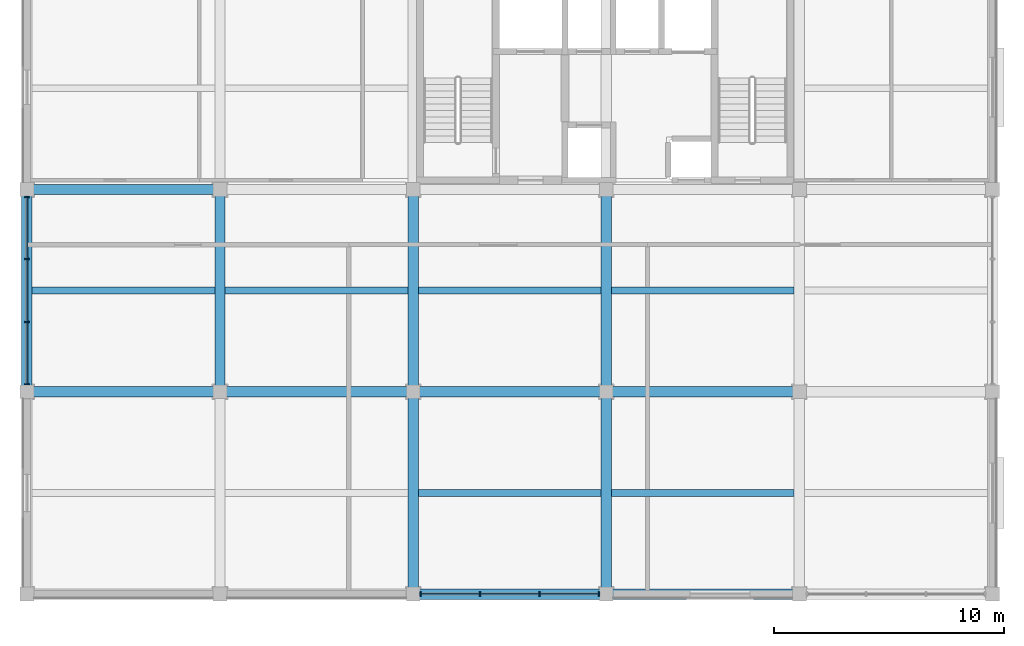
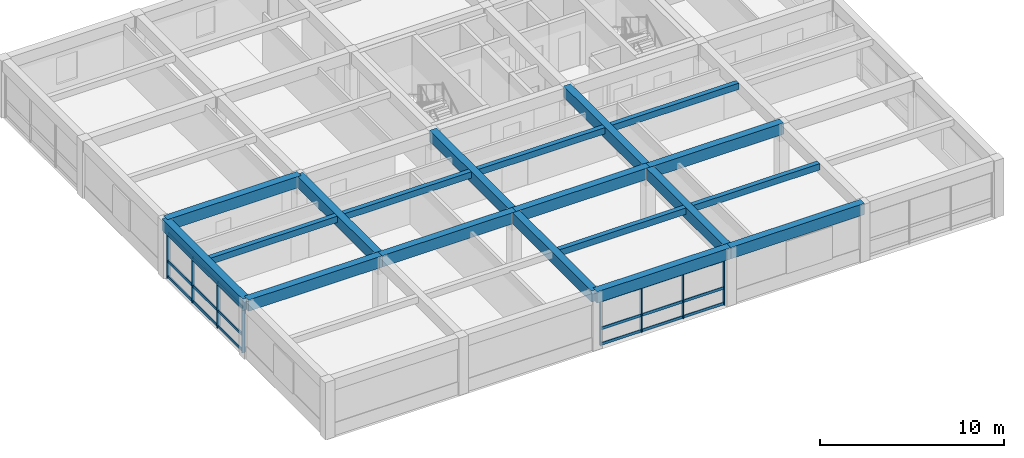
# One storey, part 2 of 14: 26 members, 19 beams, 2 elements without a shape of their own.
"""IFC4 building model written with IfcOpenShell, lengths in metres."""

import ifcopenshell
import ifcopenshell.guid

model = None  # the IFC model being written
_history = None  # IfcOwnerHistory: only IFC2X3 demands one
_inside = {}  # id of a spatial element -> (the spatial element, [elements in it])
_under = {}  # id of a project, library or spatial element -> (it, [spatial elements below it])
_declared = {}  # id of a project -> (the project, [libraries it declares])
_typed = {}  # id of a type object -> (the type object, [elements of that type])
_made_of = {}  # id of a material, layer set ... -> (it, [elements and type objects made of it])


def new_model(schema):
    """Start an empty IFC model of exactly this schema.

    Asked for "IFC4X3", IfcOpenShell would pick the latest addendum, in which some entities
    have other attributes; the version numbers below select the first issue.
    IFC2X3 requires an IfcOwnerHistory on every rooted entity: one is made here for all.
    """
    global model, _history
    if schema == "IFC4X3":
        model = ifcopenshell.file(schema_version=(4, 3, 0, 0))
    else:
        model = ifcopenshell.file(schema=schema)
    _inside.clear()
    _under.clear()
    _declared.clear()
    _typed.clear()
    _made_of.clear()
    _history = None
    if model.schema == "IFC2X3":
        org = make("IfcOrganization", Name="unknown")
        user = make(
            "IfcPersonAndOrganization",
            ThePerson=make("IfcPerson", FamilyName="unknown"),
            TheOrganization=org,
        )
        app = make(
            "IfcApplication",
            ApplicationDeveloper=org,
            Version="unknown",
            ApplicationFullName="unknown",
            ApplicationIdentifier="unknown",
        )
        _history = make(
            "IfcOwnerHistory",
            OwningUser=user,
            OwningApplication=app,
            ChangeAction="ADDED",
            CreationDate=0,
        )
    return model


def make(cls, **values):
    """One entity of the class cls with the attributes given. An attribute that is None is left unset."""
    return model.create_entity(
        cls, **{name: value for name, value in values.items() if value is not None}
    )


def rooted(cls, **values):
    """An entity with a GlobalId (a new one), such as an element, a storey or a relation."""
    return make(cls, GlobalId=ifcopenshell.guid.new(), OwnerHistory=_history, **values)


def si_unit(unit_type, name, prefix=None):
    """IfcSIUnit, for example si_unit("LENGTHUNIT", "METRE", prefix="MILLI")."""
    return make("IfcSIUnit", UnitType=unit_type, Prefix=prefix, Name=name)


def assignment(units):
    """IfcUnitAssignment: the units of a project."""
    return None if units is None else make("IfcUnitAssignment", Units=units)


def point(xyz):
    """IfcCartesianPoint."""
    return None if xyz is None else make("IfcCartesianPoint", Coordinates=xyz)


def direction(xyz):
    """IfcDirection."""
    return None if xyz is None else make("IfcDirection", DirectionRatios=xyz)


def frame(location, z_axis=None, x_axis=None):
    """IfcAxis2Placement3D, a coordinate frame: its origin and axes. An axis left out is left unset."""
    return make(
        "IfcAxis2Placement3D",
        Location=point(location),
        Axis=direction(z_axis),
        RefDirection=direction(x_axis),
    )


def frame_2d(location, x_axis=None):
    """IfcAxis2Placement2D, a coordinate frame in the plane: its origin and x axis."""
    return make(
        "IfcAxis2Placement2D", Location=point(location), RefDirection=direction(x_axis)
    )


def origin():
    """The frame at (0, 0, 0) with its axes left unset."""
    return frame((0.0, 0.0, 0.0))


def origin_2d():
    """The frame at (0, 0) in the plane with its x axis left unset."""
    return frame_2d((0.0, 0.0))


def place(relative_to, where):
    """IfcLocalPlacement: puts the frame where relative to a parent placement (None: the world)."""
    return make(
        "IfcLocalPlacement", PlacementRelTo=relative_to, RelativePlacement=where
    )


def context(
    kind, dimensions, precision=None, world=None, true_north=None, identifier=None
):
    """IfcGeometricRepresentationContext, for example the 3D "Model" context."""
    return make(
        "IfcGeometricRepresentationContext",
        ContextIdentifier=identifier,
        ContextType=kind,
        CoordinateSpaceDimension=dimensions,
        Precision=precision,
        WorldCoordinateSystem=world,
        TrueNorth=true_north,
    )


def subcontext(parent, identifier, kind, view, scale=None):
    """IfcGeometricRepresentationSubContext, for example "Body" below "Model"."""
    return make(
        "IfcGeometricRepresentationSubContext",
        ContextIdentifier=identifier,
        ContextType=kind,
        ParentContext=parent,
        TargetScale=scale,
        TargetView=view,
    )


def project(units=None, contexts=None):
    """IfcProject with its units and contexts."""
    return rooted(
        "IfcProject",
        Name="project",
        RepresentationContexts=contexts,
        UnitsInContext=assignment(units),
    )


def spatial(cls, under=None, at=None, **own):
    """A site, building, storey or space (cls), placed at a placement, below another one or the project."""
    s = rooted(cls, ObjectPlacement=at, **own)
    if under is not None:
        _under.setdefault(under.id(), (under, []))[1].append(s)
    return s


def profile(cls, at=None, kind="AREA", **sizes):
    """A parametric profile (cls). Its sizes go by their IFC names, for example OverallWidth=200.0."""
    return make(cls, ProfileType=kind, Position=at, **sizes)


def rectangle(**sizes):
    """IfcRectangleProfileDef."""
    return profile("IfcRectangleProfileDef", **sizes)


def extrude(swept, where, along, depth):
    """IfcExtrudedAreaSolid: the profile swept, set in the frame where, extruded along a direction by depth."""
    return make(
        "IfcExtrudedAreaSolid",
        SweptArea=swept,
        Position=where,
        ExtrudedDirection=direction(along),
        Depth=depth,
    )


def shape(context_of_items, identifier, shape_type, items):
    """IfcShapeRepresentation: the items that make up one representation, for example the "Body"."""
    return make(
        "IfcShapeRepresentation",
        ContextOfItems=context_of_items,
        RepresentationIdentifier=identifier,
        RepresentationType=shape_type,
        Items=items,
    )


def material(Name=None, Category=None):
    """IfcMaterial."""
    return make("IfcMaterial", Name=Name, Category=Category)


def material_profile(
    of_material, cross_section, Name=None, Category=None, Priority=None
):
    """IfcMaterialProfile: a cross section and its material."""
    return make(
        "IfcMaterialProfile",
        Name=Name,
        Material=of_material,
        Profile=cross_section,
        Priority=Priority,
        Category=Category,
    )


def profile_set(profiles, Name=None, composite=None):
    """IfcMaterialProfileSet."""
    return make(
        "IfcMaterialProfileSet",
        Name=Name,
        MaterialProfiles=profiles,
        CompositeProfile=composite,
    )


def made_of(thing, what):
    """Note that an element or type object is made of a material, layer set ...; save() writes the relation."""
    if what is not None:
        _made_of.setdefault(what.id(), (what, []))[1].append(thing)
    return thing


def type_object(cls, material=None, **own):
    """A type object (cls), such as IfcWallType, which elements share."""
    return made_of(rooted(cls, **own), material)


def element(
    cls,
    number,
    at=None,
    inside=None,
    cuts=None,
    type_object=None,
    material=None,
    context=None,
    identifier="Body",
    shape_type=None,
    held_by="IfcProductDefinitionShape",
    body=None,
    shapes=None,
    **own,
):
    """One element of the class cls, such as IfcWall. Its Tag is "e" and its number.

    at: its placement. inside: the storey or other place that contains it. cuts: it is an
    opening in that element (IfcRelVoidsElement). A single representation is given by context,
    identifier, shape_type and body (its items); several are given by shapes. held_by: the class
    of the entity that holds the representations. save() writes the other relations.
    """
    e = rooted(cls, Tag="e%d" % number, ObjectPlacement=at, **own)
    if body is not None:
        shapes = [shape(context, identifier, shape_type, body)]
    if shapes is not None:
        e.Representation = make(held_by, Representations=shapes)
    if inside is not None:
        _inside.setdefault(inside.id(), (inside, []))[1].append(e)
    if cuts is not None:
        rooted(
            "IfcRelVoidsElement", RelatingBuildingElement=cuts, RelatedOpeningElement=e
        )
    if type_object is not None:
        _typed.setdefault(type_object.id(), (type_object, []))[1].append(e)
    return made_of(e, material)


def aggregate(whole, parts):
    """IfcRelAggregates: a whole, such as a stair, and the parts it consists of."""
    return rooted("IfcRelAggregates", RelatingObject=whole, RelatedObjects=parts)


def save(model, path):
    """Write the relations noted so far, then the file.

    IfcRelAggregates (storeys below a building ...), IfcRelContainedInSpatialStructure (elements
    in a storey), IfcRelDefinesByType, IfcRelAssociatesMaterial and IfcRelDeclares: one each for
    every whole, place, type object, material and project.
    """
    for whole, parts in _under.values():
        aggregate(whole, parts)
    for where, things in _inside.values():
        rooted(
            "IfcRelContainedInSpatialStructure",
            RelatedElements=things,
            RelatingStructure=where,
        )
    for kind, things in _typed.values():
        rooted("IfcRelDefinesByType", RelatedObjects=things, RelatingType=kind)
    for what, things in _made_of.values():
        rooted("IfcRelAssociatesMaterial", RelatedObjects=things, RelatingMaterial=what)
    for by, libraries in _declared.values():
        rooted("IfcRelDeclares", RelatingContext=by, RelatedDefinitions=libraries)
    model.write(path)


model = new_model("IFC4")

# Units and contexts
model_context = context("Model", 3, precision=1e-05, world=origin(), true_north=direction((0.0, 1.0)))
body_context = subcontext(model_context, "Body", "Model", "MODEL_VIEW")
ifc_project = project(units=[si_unit("LENGTHUNIT", "METRE"), si_unit("AREAUNIT", "SQUARE_METRE"), si_unit("VOLUMEUNIT", "CUBIC_METRE"), si_unit("PLANEANGLEUNIT", "RADIAN"), si_unit("MASSUNIT", "GRAM", prefix="KILO")], contexts=[model_context])

# Site, building, storey
site_placement = place(None, origin())
site = spatial("IfcSite", under=ifc_project, at=site_placement, CompositionType="ELEMENT")
building_placement = place(site_placement, origin())
building = spatial("IfcBuilding", under=site, at=building_placement, Name="Kemercrest Conservatory and Botanical Centre", CompositionType="ELEMENT")
storey_placement = place(building_placement, frame((0.0, 0.0, 44.39990234375)))
storey = spatial("IfcBuildingStorey", under=building, at=storey_placement, Name="L11", CompositionType="ELEMENT", Elevation=44.39990234375)

# Beams
ifc_material_1 = material(Name="Concrete C40/50", Category="concrete")
ifc_material_profile_1 = material_profile(ifc_material_1, rectangle(XDim=0.449951171875, YDim=0.75, at=origin_2d()), Name="RC 450x750")
ifc_profile_set_1 = profile_set([ifc_material_profile_1], Name="Concrete C40/50")
beam_type_1 = type_object("IfcBeamType", Name="BM-RC75", PredefinedType="BEAM", material=ifc_profile_set_1)
beam_1_placement = place(storey_placement, frame((134.0, 96.0, 3.425048828125), z_axis=(1.0, 0.0, 0.0), x_axis=(0.0, 1.0, 0.0)))
element("IfcBeam", 1, at=beam_1_placement, inside=storey, type_object=beam_type_1, Name="V4-L12 beam BM-RC75 L/16-17", PredefinedType="BEAM", context=body_context, shape_type="SweptSolid", body=[
    extrude(rectangle(XDim=0.449951171875, YDim=0.75, at=origin_2d()), origin(), (0.0, 0.0, 1.0), 8.39990234375),
])
beam_2_placement = place(storey_placement, frame((142.39990234375, 96.0, 3.425048828125), z_axis=(1.0, 0.0, 0.0), x_axis=(0.0, 1.0, 0.0)))
element("IfcBeam", 2, at=beam_2_placement, inside=storey, type_object=beam_type_1, Name="V4-L12 beam BM-RC75 L/17-18", PredefinedType="BEAM", context=body_context, shape_type="SweptSolid", body=[
    extrude(rectangle(XDim=0.449951171875, YDim=0.75, at=origin_2d()), origin(), (0.0, 0.0, 1.0), 8.400146484375),
])
beam_3_placement = place(storey_placement, frame((150.800048828125, 96.0, 3.425048828125), z_axis=(1.0, 0.0, 0.0), x_axis=(0.0, 1.0, 0.0)))
element("IfcBeam", 3, at=beam_3_placement, inside=storey, type_object=beam_type_1, Name="V4-L12 beam BM-RC75 L/18-19", PredefinedType="BEAM", context=body_context, shape_type="SweptSolid", body=[
    extrude(rectangle(XDim=0.449951171875, YDim=0.75, at=origin_2d()), origin(), (0.0, 0.0, 1.0), 8.39990234375),
])
beam_4_placement = place(storey_placement, frame((159.199951171875, 96.0, 3.425048828125), z_axis=(1.0, 0.0, 0.0), x_axis=(0.0, 1.0, 0.0)))
element("IfcBeam", 4, at=beam_4_placement, inside=storey, type_object=beam_type_1, Name="V4-L12 beam BM-RC75 L/19-20", PredefinedType="BEAM", context=body_context, shape_type="SweptSolid", body=[
    extrude(rectangle(XDim=0.449951171875, YDim=0.75, at=origin_2d()), origin(), (0.0, 0.0, 1.0), 8.400146484375),
])
beam_5_placement = place(storey_placement, frame((134.0, 104.800048828125, 3.425048828125), z_axis=(1.0, 0.0, 0.0), x_axis=(0.0, 1.0, 0.0)))
element("IfcBeam", 5, at=beam_5_placement, inside=storey, type_object=beam_type_1, Name="V4-L12 beam BM-RC75 M/16-17", PredefinedType="BEAM", context=body_context, shape_type="SweptSolid", body=[
    extrude(rectangle(XDim=0.449951171875, YDim=0.75, at=origin_2d()), origin(), (0.0, 0.0, 1.0), 8.39990234375),
])
for number, where, z_axis, x_axis, name in (
    (6, (142.39990234375, 96.0, 3.425048828125), (0.0, 1.0, 0.0), (-1.0, 0.0, 0.0), "V4-L12 beam BM-RC75 17/L-M"),
    (7, (150.800048828125, 87.199951171875, 3.425048828125), (0.0, 1.0, 0.0), (-1.0, 0.0, 0.0), "V4-L12 beam BM-RC75 18/K-L"),
    (8, (150.800048828125, 96.0, 3.425048828125), (0.0, 1.0, 0.0), (-1.0, 0.0, 0.0), "V4-L12 beam BM-RC75 18/L-M"),
    (9, (159.199951171875, 87.199951171875, 3.425048828125), (0.0, 1.0, 0.0), (-1.0, 0.0, 0.0), "V4-L12 beam BM-RC75 19/K-L"),
    (10, (159.199951171875, 96.0, 3.425048828125), (0.0, 1.0, 0.0), (-1.0, 0.0, 0.0), "V4-L12 beam BM-RC75 19/L-M"),
):
    element("IfcBeam", number, at=place(storey_placement, frame(where, z_axis=z_axis, x_axis=x_axis)), inside=storey, type_object=beam_type_1, Name=name, PredefinedType="BEAM", context=body_context, shape_type="SweptSolid", body=[
        extrude(rectangle(XDim=0.449951171875, YDim=0.75, at=origin_2d()), origin(), (0.0, 0.0, 1.0), 8.800048828125),
    ])

# Curtain wall, members
ifc_material_2 = material(Name="Thermally broken aluminium and triple low-e glazing", Category="aluminium")
curtain_wall_type_1 = type_object("IfcCurtainWallType", Name="CW-03", PredefinedType="USERDEFINED", material=ifc_material_2)
curtain_wall_1_placement = place(storey_placement, origin())
curtain_wall_1 = element("IfcCurtainWall", 11, at=curtain_wall_1_placement, inside=storey, type_object=curtain_wall_type_1, Name="Unitised curtain wall CW-03 (CW:L11:V4-122)", ObjectType="UNITISED CURTAIN WALL", PredefinedType="USERDEFINED")
ifc_material_3 = material(Name="Thermally broken anodized aluminium 6063-T6", Category="aluminium")
ifc_material_profile_2 = material_profile(ifc_material_3, rectangle(XDim=0.199951171875, YDim=0.06494140625, at=origin_2d()), Name="AL MULLION 65x200")
ifc_profile_set_2 = profile_set([ifc_material_profile_2], Name="Thermally broken anodized aluminium 6063-T6")
member_type_1 = type_object("IfcMemberType", Name="CW-M200", PredefinedType="MULLION", material=ifc_profile_set_2)
member_1_placement = place(storey_placement, frame((151.12744140625, 87.199951171875, 0.0), z_axis=(0.0, 0.0, 1.0), x_axis=(0.0, 1.0, 0.0)))
member_1 = element("IfcMember", 12, at=member_1_placement, type_object=member_type_1, Name="CW-03 mullion 1", PredefinedType="MULLION", context=body_context, shape_type="SweptSolid", body=[
    extrude(rectangle(XDim=0.199951171875, YDim=0.06494140625, at=origin_2d()), origin(), (0.0, 0.0, 1.0), 3.05517578125),
])
member_2_placement = place(storey_placement, frame((153.6982421875, 87.199951171875, 0.0), z_axis=(0.0, 0.0, 1.0), x_axis=(0.0, 1.0, 0.0)))
member_2 = element("IfcMember", 13, at=member_2_placement, type_object=member_type_1, Name="CW-03 mullion 2", PredefinedType="MULLION", context=body_context, shape_type="SweptSolid", body=[
    extrude(rectangle(XDim=0.199951171875, YDim=0.06494140625, at=origin_2d()), origin(), (0.0, 0.0, 1.0), 3.05517578125),
])
member_3_placement = place(storey_placement, frame((156.3017578125, 87.199951171875, 0.0), z_axis=(0.0, 0.0, 1.0), x_axis=(0.0, 1.0, 0.0)))
member_3 = element("IfcMember", 14, at=member_3_placement, type_object=member_type_1, Name="CW-03 mullion 3", PredefinedType="MULLION", context=body_context, shape_type="SweptSolid", body=[
    extrude(rectangle(XDim=0.199951171875, YDim=0.06494140625, at=origin_2d()), origin(), (0.0, 0.0, 1.0), 3.05517578125),
])
member_4_placement = place(storey_placement, frame((158.87255859375, 87.199951171875, 0.0), z_axis=(0.0, 0.0, 1.0), x_axis=(0.0, 1.0, 0.0)))
member_4 = element("IfcMember", 15, at=member_4_placement, type_object=member_type_1, Name="CW-03 mullion 4", PredefinedType="MULLION", context=body_context, shape_type="SweptSolid", body=[
    extrude(rectangle(XDim=0.199951171875, YDim=0.06494140625, at=origin_2d()), origin(), (0.0, 0.0, 1.0), 3.05517578125),
])

curtain_wall_type_2 = type_object("IfcCurtainWallType", Name="CW-08", PredefinedType="USERDEFINED", material=ifc_material_2)
curtain_wall_2_placement = place(storey_placement, origin())
curtain_wall_2 = element("IfcCurtainWall", 16, at=curtain_wall_2_placement, inside=storey, type_object=curtain_wall_type_2, Name="Unitised curtain wall CW-08 (CW:L11:V4-127)", ObjectType="UNITISED CURTAIN WALL", PredefinedType="USERDEFINED")
member_5_placement = place(storey_placement, frame((134.0, 104.472412109375, 0.0), z_axis=(0.0, 0.0, 1.0), x_axis=(1.0, 0.0, 0.0)))
member_5 = element("IfcMember", 17, at=member_5_placement, type_object=member_type_1, Name="CW-08 mullion 1", PredefinedType="MULLION", context=body_context, shape_type="SweptSolid", body=[
    extrude(rectangle(XDim=0.199951171875, YDim=0.06494140625, at=origin_2d()), origin(), (0.0, 0.0, 1.0), 3.05517578125),
])
member_6_placement = place(storey_placement, frame((134.0, 101.768310546875, 0.0), z_axis=(0.0, 0.0, 1.0), x_axis=(1.0, 0.0, 0.0)))
member_6 = element("IfcMember", 18, at=member_6_placement, type_object=member_type_1, Name="CW-08 mullion 2", PredefinedType="MULLION", context=body_context, shape_type="SweptSolid", body=[
    extrude(rectangle(XDim=0.199951171875, YDim=0.06494140625, at=origin_2d()), origin(), (0.0, 0.0, 1.0), 3.05517578125),
])
member_7_placement = place(storey_placement, frame((134.0, 99.03173828125, 0.0), z_axis=(0.0, 0.0, 1.0), x_axis=(1.0, 0.0, 0.0)))
member_7 = element("IfcMember", 19, at=member_7_placement, type_object=member_type_1, Name="CW-08 mullion 3", PredefinedType="MULLION", context=body_context, shape_type="SweptSolid", body=[
    extrude(rectangle(XDim=0.199951171875, YDim=0.06494140625, at=origin_2d()), origin(), (0.0, 0.0, 1.0), 3.05517578125),
])
member_8_placement = place(storey_placement, frame((134.0, 96.327392578125, 0.0), z_axis=(0.0, 0.0, 1.0), x_axis=(1.0, 0.0, 0.0)))
member_8 = element("IfcMember", 20, at=member_8_placement, type_object=member_type_1, Name="CW-08 mullion 4", PredefinedType="MULLION", context=body_context, shape_type="SweptSolid", body=[
    extrude(rectangle(XDim=0.199951171875, YDim=0.06494140625, at=origin_2d()), origin(), (0.0, 0.0, 1.0), 3.05517578125),
])

# Member
ifc_material_profile_3 = material_profile(ifc_material_3, rectangle(XDim=0.074951171875, YDim=0.179931640625, at=origin_2d()), Name="AL TRANSOM 75x180")
ifc_profile_set_3 = profile_set([ifc_material_profile_3], Name="Thermally broken anodized aluminium 6063-T6")
member_type_2 = type_object("IfcMemberType", Name="CW-T180", PredefinedType="USERDEFINED", material=ifc_profile_set_3)
member_9_placement = place(storey_placement, frame((151.159912109375, 87.199951171875, 0.090087890625), z_axis=(1.0, 0.0, 0.0), x_axis=(0.0, 1.0, 0.0)))
member_9 = element("IfcMember", 21, at=member_9_placement, type_object=member_type_2, Name="CW-03 transom 1.1", ObjectType="TRANSOM", PredefinedType="USERDEFINED", context=body_context, shape_type="SweptSolid", body=[
    extrude(rectangle(XDim=0.074951171875, YDim=0.179931640625, at=origin_2d()), origin(), (0.0, 0.0, 1.0), 2.505859375),
])

member_10_placement = place(storey_placement, frame((151.159912109375, 87.199951171875, 1.1201171875), z_axis=(1.0, 0.0, 0.0), x_axis=(0.0, 1.0, 0.0)))
member_10 = element("IfcMember", 22, at=member_10_placement, type_object=member_type_2, Name="CW-03 transom 1.2", ObjectType="TRANSOM", PredefinedType="USERDEFINED", context=body_context, shape_type="SweptSolid", body=[
    extrude(rectangle(XDim=0.074951171875, YDim=0.179931640625, at=origin_2d()), origin(), (0.0, 0.0, 1.0), 2.505859375),
])

member_11_placement = place(storey_placement, frame((151.159912109375, 87.199951171875, 2.965087890625), z_axis=(1.0, 0.0, 0.0), x_axis=(0.0, 1.0, 0.0)))
member_11 = element("IfcMember", 23, at=member_11_placement, type_object=member_type_2, Name="CW-03 transom 1.3", ObjectType="TRANSOM", PredefinedType="USERDEFINED", context=body_context, shape_type="SweptSolid", body=[
    extrude(rectangle(XDim=0.074951171875, YDim=0.179931640625, at=origin_2d()), origin(), (0.0, 0.0, 1.0), 2.505859375),
])

member_12_placement = place(storey_placement, frame((153.730712890625, 87.199951171875, 0.090087890625), z_axis=(1.0, 0.0, 0.0), x_axis=(0.0, 1.0, 0.0)))
member_12 = element("IfcMember", 24, at=member_12_placement, type_object=member_type_2, Name="CW-03 transom 2.1", ObjectType="TRANSOM", PredefinedType="USERDEFINED", context=body_context, shape_type="SweptSolid", body=[
    extrude(rectangle(XDim=0.074951171875, YDim=0.179931640625, at=origin_2d()), origin(), (0.0, 0.0, 1.0), 2.53857421875),
])

member_13_placement = place(storey_placement, frame((153.730712890625, 87.199951171875, 1.1201171875), z_axis=(1.0, 0.0, 0.0), x_axis=(0.0, 1.0, 0.0)))
member_13 = element("IfcMember", 25, at=member_13_placement, type_object=member_type_2, Name="CW-03 transom 2.2", ObjectType="TRANSOM", PredefinedType="USERDEFINED", context=body_context, shape_type="SweptSolid", body=[
    extrude(rectangle(XDim=0.074951171875, YDim=0.179931640625, at=origin_2d()), origin(), (0.0, 0.0, 1.0), 2.53857421875),
])

member_14_placement = place(storey_placement, frame((153.730712890625, 87.199951171875, 2.965087890625), z_axis=(1.0, 0.0, 0.0), x_axis=(0.0, 1.0, 0.0)))
member_14 = element("IfcMember", 26, at=member_14_placement, type_object=member_type_2, Name="CW-03 transom 2.3", ObjectType="TRANSOM", PredefinedType="USERDEFINED", context=body_context, shape_type="SweptSolid", body=[
    extrude(rectangle(XDim=0.074951171875, YDim=0.179931640625, at=origin_2d()), origin(), (0.0, 0.0, 1.0), 2.53857421875),
])

member_15_placement = place(storey_placement, frame((156.334228515625, 87.199951171875, 0.090087890625), z_axis=(1.0, 0.0, 0.0), x_axis=(0.0, 1.0, 0.0)))
member_15 = element("IfcMember", 27, at=member_15_placement, type_object=member_type_2, Name="CW-03 transom 3.1", ObjectType="TRANSOM", PredefinedType="USERDEFINED", context=body_context, shape_type="SweptSolid", body=[
    extrude(rectangle(XDim=0.074951171875, YDim=0.179931640625, at=origin_2d()), origin(), (0.0, 0.0, 1.0), 2.505859375),
])

member_16_placement = place(storey_placement, frame((156.334228515625, 87.199951171875, 1.1201171875), z_axis=(1.0, 0.0, 0.0), x_axis=(0.0, 1.0, 0.0)))
member_16 = element("IfcMember", 28, at=member_16_placement, type_object=member_type_2, Name="CW-03 transom 3.2", ObjectType="TRANSOM", PredefinedType="USERDEFINED", context=body_context, shape_type="SweptSolid", body=[
    extrude(rectangle(XDim=0.074951171875, YDim=0.179931640625, at=origin_2d()), origin(), (0.0, 0.0, 1.0), 2.505859375),
])

member_17_placement = place(storey_placement, frame((156.334228515625, 87.199951171875, 2.965087890625), z_axis=(1.0, 0.0, 0.0), x_axis=(0.0, 1.0, 0.0)))
member_17 = element("IfcMember", 29, at=member_17_placement, type_object=member_type_2, Name="CW-03 transom 3.3", ObjectType="TRANSOM", PredefinedType="USERDEFINED", context=body_context, shape_type="SweptSolid", body=[
    extrude(rectangle(XDim=0.074951171875, YDim=0.179931640625, at=origin_2d()), origin(), (0.0, 0.0, 1.0), 2.505859375),
])

aggregate(curtain_wall_1, [member_1, member_2, member_3, member_4, member_9, member_10, member_11, member_12, member_13, member_14, member_15, member_16, member_17])

member_18_placement = place(storey_placement, frame((134.0, 104.43994140625, 0.090087890625), z_axis=(0.0, -1.0, 0.0), x_axis=(1.0, 0.0, 0.0)))
member_18 = element("IfcMember", 30, at=member_18_placement, type_object=member_type_2, Name="CW-08 transom 1.1", ObjectType="TRANSOM", PredefinedType="USERDEFINED", context=body_context, shape_type="SweptSolid", body=[
    extrude(rectangle(XDim=0.074951171875, YDim=0.179931640625, at=origin_2d()), origin(), (0.0, 0.0, 1.0), 2.63916015625),
])

member_19_placement = place(storey_placement, frame((134.0, 104.43994140625, 1.1201171875), z_axis=(0.0, -1.0, 0.0), x_axis=(1.0, 0.0, 0.0)))
member_19 = element("IfcMember", 31, at=member_19_placement, type_object=member_type_2, Name="CW-08 transom 1.2", ObjectType="TRANSOM", PredefinedType="USERDEFINED", context=body_context, shape_type="SweptSolid", body=[
    extrude(rectangle(XDim=0.074951171875, YDim=0.179931640625, at=origin_2d()), origin(), (0.0, 0.0, 1.0), 2.63916015625),
])

member_20_placement = place(storey_placement, frame((134.0, 104.43994140625, 2.965087890625), z_axis=(0.0, -1.0, 0.0), x_axis=(1.0, 0.0, 0.0)))
member_20 = element("IfcMember", 32, at=member_20_placement, type_object=member_type_2, Name="CW-08 transom 1.3", ObjectType="TRANSOM", PredefinedType="USERDEFINED", context=body_context, shape_type="SweptSolid", body=[
    extrude(rectangle(XDim=0.074951171875, YDim=0.179931640625, at=origin_2d()), origin(), (0.0, 0.0, 1.0), 2.63916015625),
])

member_21_placement = place(storey_placement, frame((134.0, 101.73583984375, 0.090087890625), z_axis=(0.0, -1.0, 0.0), x_axis=(1.0, 0.0, 0.0)))
member_21 = element("IfcMember", 33, at=member_21_placement, type_object=member_type_2, Name="CW-08 transom 2.1", ObjectType="TRANSOM", PredefinedType="USERDEFINED", context=body_context, shape_type="SweptSolid", body=[
    extrude(rectangle(XDim=0.074951171875, YDim=0.179931640625, at=origin_2d()), origin(), (0.0, 0.0, 1.0), 2.671630859375),
])

member_22_placement = place(storey_placement, frame((134.0, 101.73583984375, 1.1201171875), z_axis=(0.0, -1.0, 0.0), x_axis=(1.0, 0.0, 0.0)))
member_22 = element("IfcMember", 34, at=member_22_placement, type_object=member_type_2, Name="CW-08 transom 2.2", ObjectType="TRANSOM", PredefinedType="USERDEFINED", context=body_context, shape_type="SweptSolid", body=[
    extrude(rectangle(XDim=0.074951171875, YDim=0.179931640625, at=origin_2d()), origin(), (0.0, 0.0, 1.0), 2.671630859375),
])

member_23_placement = place(storey_placement, frame((134.0, 101.73583984375, 2.965087890625), z_axis=(0.0, -1.0, 0.0), x_axis=(1.0, 0.0, 0.0)))
member_23 = element("IfcMember", 35, at=member_23_placement, type_object=member_type_2, Name="CW-08 transom 2.3", ObjectType="TRANSOM", PredefinedType="USERDEFINED", context=body_context, shape_type="SweptSolid", body=[
    extrude(rectangle(XDim=0.074951171875, YDim=0.179931640625, at=origin_2d()), origin(), (0.0, 0.0, 1.0), 2.671630859375),
])

member_24_placement = place(storey_placement, frame((134.0, 98.999267578125, 0.090087890625), z_axis=(0.0, -1.0, 0.0), x_axis=(1.0, 0.0, 0.0)))
member_24 = element("IfcMember", 36, at=member_24_placement, type_object=member_type_2, Name="CW-08 transom 3.1", ObjectType="TRANSOM", PredefinedType="USERDEFINED", context=body_context, shape_type="SweptSolid", body=[
    extrude(rectangle(XDim=0.074951171875, YDim=0.179931640625, at=origin_2d()), origin(), (0.0, 0.0, 1.0), 2.63916015625),
])

member_25_placement = place(storey_placement, frame((134.0, 98.999267578125, 1.1201171875), z_axis=(0.0, -1.0, 0.0), x_axis=(1.0, 0.0, 0.0)))
member_25 = element("IfcMember", 37, at=member_25_placement, type_object=member_type_2, Name="CW-08 transom 3.2", ObjectType="TRANSOM", PredefinedType="USERDEFINED", context=body_context, shape_type="SweptSolid", body=[
    extrude(rectangle(XDim=0.074951171875, YDim=0.179931640625, at=origin_2d()), origin(), (0.0, 0.0, 1.0), 2.63916015625),
])

member_26_placement = place(storey_placement, frame((134.0, 98.999267578125, 2.965087890625), z_axis=(0.0, -1.0, 0.0), x_axis=(1.0, 0.0, 0.0)))
member_26 = element("IfcMember", 38, at=member_26_placement, type_object=member_type_2, Name="CW-08 transom 3.3", ObjectType="TRANSOM", PredefinedType="USERDEFINED", context=body_context, shape_type="SweptSolid", body=[
    extrude(rectangle(XDim=0.074951171875, YDim=0.179931640625, at=origin_2d()), origin(), (0.0, 0.0, 1.0), 2.63916015625),
])

aggregate(curtain_wall_2, [member_5, member_6, member_7, member_8, member_18, member_19, member_20, member_21, member_22, member_23, member_24, member_25, member_26])

# Beams
ifc_material_profile_4 = material_profile(ifc_material_1, rectangle(XDim=0.300048828125, YDim=0.419921875, at=origin_2d()), Name="RC 300x420")
ifc_profile_set_4 = profile_set([ifc_material_profile_4], Name="Concrete C40/50")
beam_type_2 = type_object("IfcBeamType", Name="JS-RC42", PredefinedType="JOIST", material=ifc_profile_set_4)
beam_6_placement = place(storey_placement, frame((151.02490234375, 91.60009765625, 3.590087890625), z_axis=(1.0, 0.0, 0.0), x_axis=(0.0, 1.0, 0.0)))
element("IfcBeam", 39, at=beam_6_placement, inside=storey, type_object=beam_type_2, Name="V4-L12 secondary joist JS-RC42", PredefinedType="JOIST", context=body_context, shape_type="SweptSolid", body=[
    extrude(rectangle(XDim=0.300048828125, YDim=0.419921875, at=origin_2d()), origin(), (0.0, 0.0, 1.0), 7.9501953125),
])
for number, where, z_axis, x_axis, name in (
    (40, (159.425048828125, 91.60009765625, 3.590087890625), (1.0, 0.0, 0.0), (0.0, 1.0, 0.0), "V4-L12 secondary joist JS-RC42"),
    (41, (134.22509765625, 100.39990234375, 3.590087890625), (1.0, 0.0, 0.0), (0.0, 1.0, 0.0), "V4-L12 secondary joist JS-RC42"),
    (42, (142.625, 100.39990234375, 3.590087890625), (1.0, 0.0, 0.0), (0.0, 1.0, 0.0), "V4-L12 secondary joist JS-RC42"),
):
    element("IfcBeam", number, at=place(storey_placement, frame(where, z_axis=z_axis, x_axis=x_axis)), inside=storey, type_object=beam_type_2, Name=name, PredefinedType="JOIST", context=body_context, shape_type="SweptSolid", body=[
        extrude(rectangle(XDim=0.300048828125, YDim=0.419921875, at=origin_2d()), origin(), (0.0, 0.0, 1.0), 7.949951171875),
    ])
beam_7_placement = place(storey_placement, frame((151.02490234375, 100.39990234375, 3.590087890625), z_axis=(1.0, 0.0, 0.0), x_axis=(0.0, 1.0, 0.0)))
element("IfcBeam", 43, at=beam_7_placement, inside=storey, type_object=beam_type_2, Name="V4-L12 secondary joist JS-RC42", PredefinedType="JOIST", context=body_context, shape_type="SweptSolid", body=[
    extrude(rectangle(XDim=0.300048828125, YDim=0.419921875, at=origin_2d()), origin(), (0.0, 0.0, 1.0), 7.9501953125),
])
beam_8_placement = place(storey_placement, frame((159.425048828125, 100.39990234375, 3.590087890625), z_axis=(1.0, 0.0, 0.0), x_axis=(0.0, 1.0, 0.0)))
element("IfcBeam", 44, at=beam_8_placement, inside=storey, type_object=beam_type_2, Name="V4-L12 secondary joist JS-RC42", PredefinedType="JOIST", context=body_context, shape_type="SweptSolid", body=[
    extrude(rectangle(XDim=0.300048828125, YDim=0.419921875, at=origin_2d()), origin(), (0.0, 0.0, 1.0), 7.949951171875),
])
ifc_material_profile_5 = material_profile(ifc_material_1, rectangle(XDim=0.449951171875, YDim=0.75, at=origin_2d()), Name="RC 450x750")
ifc_profile_set_5 = profile_set([ifc_material_profile_5], Name="Concrete C40/50")
beam_type_3 = type_object("IfcBeamType", Name="SP-RC75", PredefinedType="SPANDREL", material=ifc_profile_set_5)
beam_9_placement = place(storey_placement, frame((150.800048828125, 87.199951171875, 3.425048828125), z_axis=(1.0, 0.0, 0.0), x_axis=(0.0, 1.0, 0.0)))
element("IfcBeam", 45, at=beam_9_placement, inside=storey, type_object=beam_type_3, Name="V4-L12 beam SP-RC75 K/18-19", PredefinedType="SPANDREL", context=body_context, shape_type="SweptSolid", body=[
    extrude(rectangle(XDim=0.449951171875, YDim=0.75, at=origin_2d()), origin(), (0.0, 0.0, 1.0), 8.39990234375),
])
beam_10_placement = place(storey_placement, frame((159.199951171875, 87.199951171875, 3.425048828125), z_axis=(1.0, 0.0, 0.0), x_axis=(0.0, 1.0, 0.0)))
element("IfcBeam", 46, at=beam_10_placement, inside=storey, type_object=beam_type_3, Name="V4-L12 beam SP-RC75 K/19-20", PredefinedType="SPANDREL", context=body_context, shape_type="SweptSolid", body=[
    extrude(rectangle(XDim=0.449951171875, YDim=0.75, at=origin_2d()), origin(), (0.0, 0.0, 1.0), 8.400146484375),
])
beam_11_placement = place(storey_placement, frame((134.0, 96.0, 3.425048828125), z_axis=(0.0, 1.0, 0.0), x_axis=(-1.0, 0.0, 0.0)))
element("IfcBeam", 47, at=beam_11_placement, inside=storey, type_object=beam_type_3, Name="V4-L12 beam SP-RC75 16/L-M", PredefinedType="SPANDREL", context=body_context, shape_type="SweptSolid", body=[
    extrude(rectangle(XDim=0.449951171875, YDim=0.75, at=origin_2d()), origin(), (0.0, 0.0, 1.0), 8.800048828125),
])

save(model, "model.ifc")
